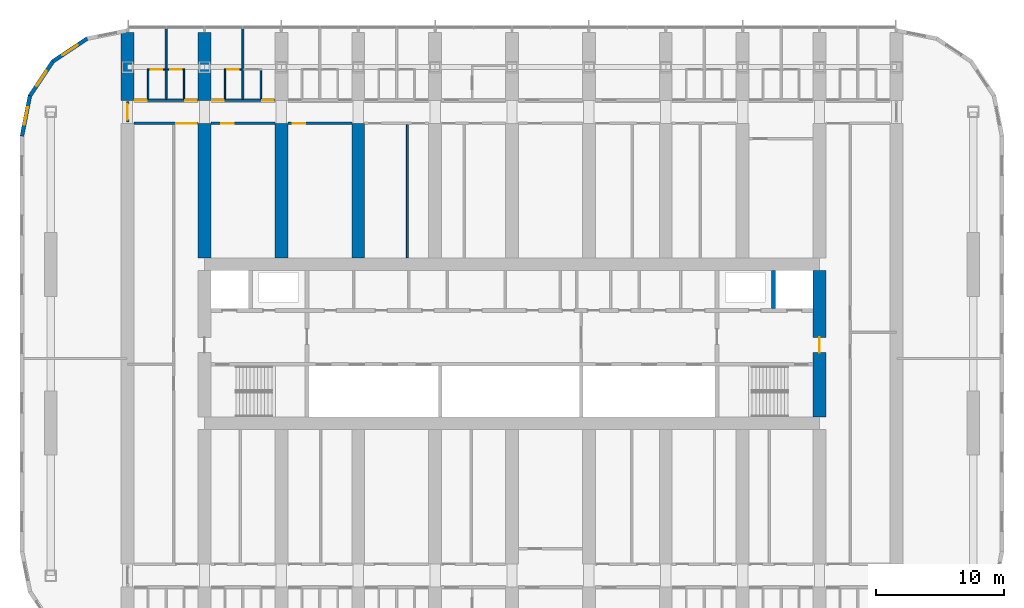
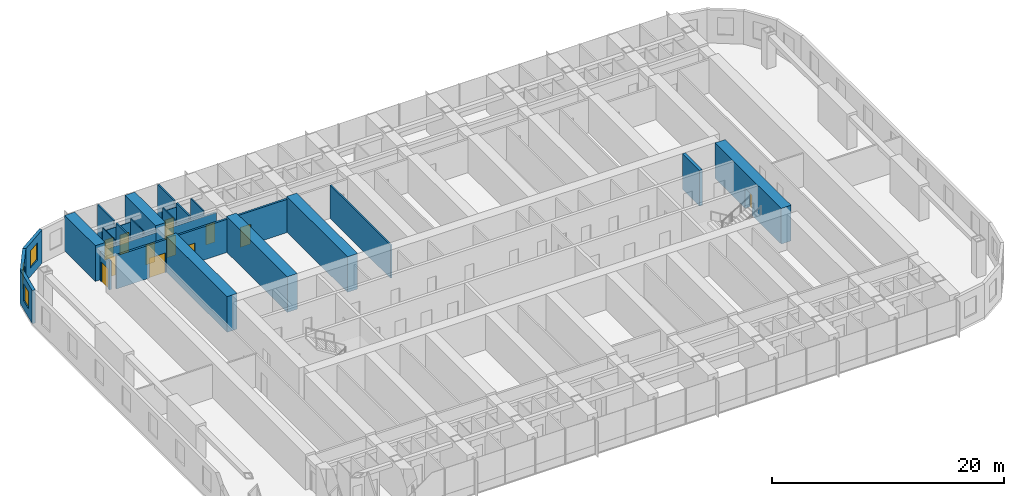
# One storey, part 15 of 25: 26 walls, 12 doors, 3 windows, 15 openings.
"""IFC4 building model written with IfcOpenShell, lengths in metres."""

from ifc_helpers import new_model, si_unit, direction, frame, frame_2d, origin, place, context, subcontext, project, spatial, polyline, rectangle, outline, extrude, material, layer, layer_set, type_object, element, fill, save


model = new_model("IFC4")

# Units and contexts
model_context = context("Model", 3, precision=1e-05, world=origin(), true_north=direction((0.0, 1.0)))
body_context = subcontext(model_context, "Body", "Model", "MODEL_VIEW")
ifc_project = project(units=[si_unit("LENGTHUNIT", "METRE"), si_unit("AREAUNIT", "SQUARE_METRE"), si_unit("VOLUMEUNIT", "CUBIC_METRE"), si_unit("PLANEANGLEUNIT", "RADIAN"), si_unit("MASSUNIT", "GRAM", prefix="KILO")], contexts=[model_context])

# Site, building, storey
site_placement = place(None, origin())
site = spatial("IfcSite", under=ifc_project, at=site_placement, CompositionType="ELEMENT")
building_placement = place(site_placement, origin())
building = spatial("IfcBuilding", under=site, at=building_placement, Name="Orbita Commons", CompositionType="ELEMENT")
storey_placement = place(building_placement, frame((0.0, 0.0, 31.449951171875)))
storey = spatial("IfcBuildingStorey", under=building, at=storey_placement, Name="L07", CompositionType="ELEMENT", Elevation=31.449951171875)

# Wall
ifc_material_1 = material(Name="Concrete C50/60", Category="concrete")
ifc_layer_1 = layer(ifc_material_1, 0.300048828125)
ifc_layer_set_1 = layer_set([ifc_layer_1], Name="Concrete C50/60")
wall_type_1 = type_object("IfcWallType", Name="Core inner wall 300 C50/60", PredefinedType="SHEAR", material=ifc_layer_set_1)
wall_1_placement = place(storey_placement, frame((62.39990234375, 34.75, 0.0), z_axis=(0.0, 0.0, 1.0), x_axis=(0.0, 1.0, 0.0)))
element("IfcWall", 1, at=wall_1_placement, inside=storey, type_object=wall_type_1, Name="Firefighting lift FL2 shaft wall L07", PredefinedType="SHEAR", context=body_context, shape_type="SweptSolid", body=[
    extrude(rectangle(XDim=2.949951171875, YDim=0.300048828125, at=frame_2d((1.47509765625, 0.0))), origin(), (0.0, 0.0, 1.0), 3.75),
])

# Wall, opening, door
ifc_material_2 = material(Name="Concrete C50/60", Category="concrete")
ifc_layer_2 = layer(ifc_material_2, 1.0)
ifc_layer_set_2 = layer_set([ifc_layer_2], Name="Concrete C50/60")
wall_type_2 = type_object("IfcWallType", Name="Core wall 1000 C50/60", PredefinedType="SHEAR", material=ifc_layer_set_2)
wall_2_placement = place(storey_placement, frame((66.0, 26.300048828125, 0.0), z_axis=(0.0, 0.0, 1.0), x_axis=(0.0, 1.0, 0.0)))
wall_2 = element("IfcWall", 2, at=wall_2_placement, inside=storey, type_object=wall_type_2, Name="Core end wall east L07", PredefinedType="SHEAR", context=body_context, shape_type="SweptSolid", body=[
    extrude(rectangle(XDim=11.39990234375, YDim=1.0, at=frame_2d((5.699951171875, 0.0))), origin(), (0.0, 0.0, 1.0), 3.75),
])
opening_1_placement = place(wall_2_placement, frame((5.0, 0.0, 0.0)))
opening_1 = element("IfcOpeningElement", 3, at=opening_1_placement, cuts=wall_2, Name="Opening D01", PredefinedType="OPENING", context=body_context, shape_type="SweptSolid", body=[
    extrude(rectangle(XDim=1.199951171875, YDim=2.10009765625, at=frame_2d((0.60009765625, 1.050048828125))), frame((0.0, 0.510009765625, 0.0), z_axis=(0.0, -1.0, 0.0), x_axis=(1.0, 0.0, 0.0)), (0.0, 0.0, 1.0), 1.02001953125),
])
ifc_material_3 = material(Name="Steel-faced fire door leaf", Category="steel")
door_type_1 = type_object("IfcDoorType", Name="Fire door 90 min 1200x2100", OperationType="SINGLE_SWING_LEFT", PredefinedType="DOOR", material=ifc_material_3)
door_1_placement = place(opening_1_placement, origin())
door_1 = element("IfcDoor", 4, at=door_1_placement, inside=storey, type_object=door_type_1, Name="Firefighting lobby east door", OperationType="SINGLE_SWING_LEFT", OverallHeight=2.10009765625, OverallWidth=1.199951171875, PredefinedType="DOOR", context=body_context, shape_type="SweptSolid", body=[
    extrude(rectangle(XDim=1.199951171875, YDim=2.10009765625, at=frame_2d((0.60009765625, 1.050048828125))), frame((0.0, 0.02490234375, 0.0), z_axis=(0.0, -1.0, 0.0), x_axis=(1.0, 0.0, 0.0)), (0.0, 0.0, 1.0), 0.050048828125),
])
fill(opening_1, door_1)

# Wall, openings, doors
ifc_material_4 = material(Name="Concrete blockwork", Category="masonry")
ifc_layer_3 = layer(ifc_material_4, 0.199951171875)
ifc_layer_set_3 = layer_set([ifc_layer_3], Name="Concrete blockwork")
wall_type_3 = type_object("IfcWallType", Name="Corridor wall 200 blockwork", PredefinedType="SOLIDWALL", material=ifc_layer_set_3)
wall_3_placement = place(storey_placement, frame((12.5, 51.0, 0.0), z_axis=(0.0, 0.0, 1.0), x_axis=(1.0, 0.0, 0.0)))
wall_3 = element("IfcWall", 5, at=wall_3_placement, inside=storey, type_object=wall_type_3, Name="Corridor wall 200 blockwork L07", PredefinedType="SOLIDWALL", context=body_context, shape_type="SweptSolid", body=[
    extrude(outline(polyline([(0.0, 0.0), (5.0, 0.0), (5.0, 3.10009765625), (0.0, 3.10009765625), (0.0, 0.0)])), frame((0.0, 0.10009765625, 0.0), z_axis=(0.0, -1.0, 0.0), x_axis=(1.0, 0.0, 0.0)), (0.0, 0.0, 1.0), 0.199951171875),
])
opening_2_placement = place(wall_3_placement, frame((0.10009765625, 0.0, 0.0)))
opening_2 = element("IfcOpeningElement", 6, at=opening_2_placement, cuts=wall_3, Name="Opening D11", PredefinedType="OPENING", context=body_context, shape_type="SweptSolid", body=[
    extrude(rectangle(XDim=0.89990234375, YDim=2.10009765625, at=frame_2d((0.449951171875, 1.050048828125))), frame((0.0, 0.10986328125, 0.0), z_axis=(0.0, -1.0, 0.0), x_axis=(1.0, 0.0, 0.0)), (0.0, 0.0, 1.0), 0.219970703125),
])
opening_3_placement = place(wall_3_placement, frame((4.0, 0.0, 0.0)))
opening_3 = element("IfcOpeningElement", 7, at=opening_3_placement, cuts=wall_3, Name="Opening D11", PredefinedType="OPENING", context=body_context, shape_type="SweptSolid", body=[
    extrude(rectangle(XDim=0.89990234375, YDim=2.10009765625, at=frame_2d((0.449951171875, 1.050048828125))), frame((0.0, 0.10986328125, 0.0), z_axis=(0.0, -1.0, 0.0), x_axis=(1.0, 0.0, 0.0)), (0.0, 0.0, 1.0), 0.219970703125),
])
ifc_material_5 = material(Name="Steel-faced fire door leaf", Category="steel")
door_type_2 = type_object("IfcDoorType", Name="Corridor door 20 min 900x2100", OperationType="SINGLE_SWING_LEFT", PredefinedType="DOOR", material=ifc_material_5)
door_2_placement = place(opening_2_placement, origin())
door_2 = element("IfcDoor", 8, at=door_2_placement, inside=storey, type_object=door_type_2, Name="House bedroom L07-N00 door", OperationType="SINGLE_SWING_LEFT", OverallHeight=2.10009765625, OverallWidth=0.89990234375, PredefinedType="DOOR", context=body_context, shape_type="SweptSolid", body=[
    extrude(rectangle(XDim=0.89990234375, YDim=2.10009765625, at=frame_2d((0.449951171875, 1.050048828125))), frame((0.0, 0.02490234375, 0.0), z_axis=(0.0, -1.0, 0.0), x_axis=(1.0, 0.0, 0.0)), (0.0, 0.0, 1.0), 0.050048828125),
])
fill(opening_2, door_2)
door_3_placement = place(opening_3_placement, origin())
door_3 = element("IfcDoor", 9, at=door_3_placement, inside=storey, type_object=door_type_2, Name="House bedroom L07-N01 door", OperationType="SINGLE_SWING_LEFT", OverallHeight=2.10009765625, OverallWidth=0.89990234375, PredefinedType="DOOR", context=body_context, shape_type="SweptSolid", body=[
    extrude(rectangle(XDim=0.89990234375, YDim=2.10009765625, at=frame_2d((0.449951171875, 1.050048828125))), frame((0.0, 0.02490234375, 0.0), z_axis=(0.0, -1.0, 0.0), x_axis=(1.0, 0.0, 0.0)), (0.0, 0.0, 1.0), 0.050048828125),
])
fill(opening_3, door_3)

wall_4_placement = place(storey_placement, frame((18.5, 51.0, 0.0), z_axis=(0.0, 0.0, 1.0), x_axis=(1.0, 0.0, 0.0)))
wall_4 = element("IfcWall", 10, at=wall_4_placement, inside=storey, type_object=wall_type_3, Name="Corridor wall 200 blockwork L07", PredefinedType="SOLIDWALL", context=body_context, shape_type="SweptSolid", body=[
    extrude(outline(polyline([(0.0, 0.0), (5.0, 0.0), (5.0, 3.10009765625), (0.0, 3.10009765625), (0.0, 0.0)])), frame((0.0, 0.10009765625, 0.0), z_axis=(0.0, -1.0, 0.0), x_axis=(1.0, 0.0, 0.0)), (0.0, 0.0, 1.0), 0.199951171875),
])
opening_4_placement = place(wall_4_placement, frame((0.10009765625, 0.0, 0.0)))
opening_4 = element("IfcOpeningElement", 11, at=opening_4_placement, cuts=wall_4, Name="Opening D11", PredefinedType="OPENING", context=body_context, shape_type="SweptSolid", body=[
    extrude(rectangle(XDim=0.89990234375, YDim=2.10009765625, at=frame_2d((0.449951171875, 1.050048828125))), frame((0.0, 0.10986328125, 0.0), z_axis=(0.0, -1.0, 0.0), x_axis=(1.0, 0.0, 0.0)), (0.0, 0.0, 1.0), 0.219970703125),
])
opening_5_placement = place(wall_4_placement, frame((4.0, 0.0, 0.0)))
opening_5 = element("IfcOpeningElement", 12, at=opening_5_placement, cuts=wall_4, Name="Opening D11", PredefinedType="OPENING", context=body_context, shape_type="SweptSolid", body=[
    extrude(rectangle(XDim=0.89990234375, YDim=2.10009765625, at=frame_2d((0.449951171875, 1.050048828125))), frame((0.0, 0.10986328125, 0.0), z_axis=(0.0, -1.0, 0.0), x_axis=(1.0, 0.0, 0.0)), (0.0, 0.0, 1.0), 0.219970703125),
])
door_4_placement = place(opening_4_placement, origin())
door_4 = element("IfcDoor", 13, at=door_4_placement, inside=storey, type_object=door_type_2, Name="House bedroom L07-N02 door", OperationType="SINGLE_SWING_LEFT", OverallHeight=2.10009765625, OverallWidth=0.89990234375, PredefinedType="DOOR", context=body_context, shape_type="SweptSolid", body=[
    extrude(rectangle(XDim=0.89990234375, YDim=2.10009765625, at=frame_2d((0.449951171875, 1.050048828125))), frame((0.0, 0.02490234375, 0.0), z_axis=(0.0, -1.0, 0.0), x_axis=(1.0, 0.0, 0.0)), (0.0, 0.0, 1.0), 0.050048828125),
])
fill(opening_4, door_4)
door_5_placement = place(opening_5_placement, origin())
door_5 = element("IfcDoor", 14, at=door_5_placement, inside=storey, type_object=door_type_2, Name="House bedroom L07-N03 door", OperationType="SINGLE_SWING_LEFT", OverallHeight=2.10009765625, OverallWidth=0.89990234375, PredefinedType="DOOR", context=body_context, shape_type="SweptSolid", body=[
    extrude(rectangle(XDim=0.89990234375, YDim=2.10009765625, at=frame_2d((0.449951171875, 1.050048828125))), frame((0.0, 0.02490234375, 0.0), z_axis=(0.0, -1.0, 0.0), x_axis=(1.0, 0.0, 0.0)), (0.0, 0.0, 1.0), 0.050048828125),
])
fill(opening_5, door_5)

# Wall, opening, door
wall_5_placement = place(storey_placement, frame((12.0, 49.300048828125, 0.0), z_axis=(0.0, 0.0, 1.0), x_axis=(0.0, 1.0, 0.0)))
wall_5 = element("IfcWall", 15, at=wall_5_placement, inside=storey, type_object=wall_type_3, Name="Corridor wall 200 blockwork L07", PredefinedType="SOLIDWALL", context=body_context, shape_type="SweptSolid", body=[
    extrude(outline(polyline([(0.0, 0.0), (1.599853515625, 0.0), (1.60009765625, 3.050048828125), (0.0, 3.050048828125), (0.0, 0.0)])), frame((0.0, 0.10009765625, 0.0), z_axis=(0.0, -1.0, 0.0), x_axis=(1.0, 0.0, 0.0)), (0.0, 0.0, 1.0), 0.199951171875),
])
opening_6_placement = place(wall_5_placement, frame((0.199951171875, 0.0, 0.0)))
opening_6 = element("IfcOpeningElement", 16, at=opening_6_placement, cuts=wall_5, Name="Opening D12", PredefinedType="OPENING", context=body_context, shape_type="SweptSolid", body=[
    extrude(rectangle(XDim=1.199951171875, YDim=2.10009765625, at=frame_2d((0.60009765625, 1.050048828125))), frame((0.0, 0.10986328125, 0.0), z_axis=(0.0, -1.0, 0.0), x_axis=(1.0, 0.0, 0.0)), (0.0, 0.0, 1.0), 0.219970703125),
])
ifc_material_6 = material(Name="Steel-faced fire door leaf", Category="steel")
door_type_3 = type_object("IfcDoorType", Name="Double corridor door 20 min 1200x2100", OperationType="DOUBLE_DOOR_SINGLE_SWING", PredefinedType="DOOR", material=ifc_material_6)
door_6_placement = place(opening_6_placement, origin())
door_6 = element("IfcDoor", 17, at=door_6_placement, inside=storey, type_object=door_type_3, Name="Lounge doors", OperationType="DOUBLE_DOOR_SINGLE_SWING", OverallHeight=2.10009765625, OverallWidth=1.199951171875, PredefinedType="DOOR", context=body_context, shape_type="SweptSolid", body=[
    extrude(rectangle(XDim=1.199951171875, YDim=2.10009765625, at=frame_2d((0.60009765625, 1.050048828125))), frame((0.0, 0.02490234375, 0.0), z_axis=(0.0, -1.0, 0.0), x_axis=(1.0, 0.0, 0.0)), (0.0, 0.0, 1.0), 0.050048828125),
])
fill(opening_6, door_6)

ifc_material_7 = material(Name="Hollow concrete block 200", Category="concrete")
ifc_layer_4 = layer(ifc_material_7, 0.199951171875)
ifc_layer_set_4 = layer_set([ifc_layer_4], Name="Hollow concrete block 200")
wall_type_4 = type_object("IfcWallType", Name="Corridor wall 200 hollow concrete block", PredefinedType="SOLIDWALL", material=ifc_layer_set_4)
wall_6_placement = place(storey_placement, frame((12.5, 49.199951171875, 0.0), z_axis=(0.0, 0.0, 1.0), x_axis=(1.0, 0.0, 0.0)))
wall_6 = element("IfcWall", 18, at=wall_6_placement, inside=storey, type_object=wall_type_4, Name="Corridor wall 200 hollow concrete block L07", PredefinedType="SOLIDWALL", context=body_context, shape_type="SweptSolid", body=[
    extrude(rectangle(XDim=5.0, YDim=0.199951171875, at=frame_2d((2.5, 0.0))), origin(), (0.0, 0.0, 1.0), 3.5),
])
opening_7_placement = place(wall_6_placement, frame((3.300048828125, 0.0, 0.0)))
opening_7 = element("IfcOpeningElement", 19, at=opening_7_placement, cuts=wall_6, Name="Opening D10", PredefinedType="OPENING", context=body_context, shape_type="SweptSolid", body=[
    extrude(rectangle(XDim=1.60009765625, YDim=2.10009765625, at=frame_2d((0.800048828125, 1.050048828125))), frame((0.0, 0.10986328125, 0.0), z_axis=(0.0, -1.0, 0.0), x_axis=(1.0, 0.0, 0.0)), (0.0, 0.0, 1.0), 0.219970703125),
])
ifc_material_8 = material(Name="Steel-faced fire door leaf", Category="steel")
door_type_4 = type_object("IfcDoorType", Name="Double corridor door 20 min 1600x2100", OperationType="DOUBLE_DOOR_SINGLE_SWING", PredefinedType="DOOR", material=ifc_material_8)
door_7_placement = place(opening_7_placement, origin())
door_7 = element("IfcDoor", 20, at=door_7_placement, inside=storey, type_object=door_type_4, Name="Cross corridor doors", OperationType="DOUBLE_DOOR_SINGLE_SWING", OverallHeight=2.10009765625, OverallWidth=1.60009765625, PredefinedType="DOOR", context=body_context, shape_type="SweptSolid", body=[
    extrude(rectangle(XDim=1.60009765625, YDim=2.10009765625, at=frame_2d((0.800048828125, 1.050048828125))), frame((0.0, 0.02490234375, 0.0), z_axis=(0.0, -1.0, 0.0), x_axis=(1.0, 0.0, 0.0)), (0.0, 0.0, 1.0), 0.050048828125),
])
fill(opening_7, door_7)

wall_7_placement = place(storey_placement, frame((18.5, 49.199951171875, 0.0), z_axis=(0.0, 0.0, 1.0), x_axis=(1.0, 0.0, 0.0)))
wall_7 = element("IfcWall", 21, at=wall_7_placement, inside=storey, type_object=wall_type_4, Name="Corridor wall 200 hollow concrete block L07", PredefinedType="SOLIDWALL", context=body_context, shape_type="SweptSolid", body=[
    extrude(rectangle(XDim=5.0, YDim=0.199951171875, at=frame_2d((2.5, 0.0))), origin(), (0.0, 0.0, 1.0), 3.5),
])
opening_8_placement = place(wall_7_placement, frame((0.800048828125, 0.0, 0.0)))
opening_8 = element("IfcOpeningElement", 22, at=opening_8_placement, cuts=wall_7, Name="Opening D06", PredefinedType="OPENING", context=body_context, shape_type="SweptSolid", body=[
    extrude(rectangle(XDim=1.0, YDim=2.10009765625, at=frame_2d((0.5, 1.050048828125))), frame((0.0, 0.10986328125, 0.0), z_axis=(0.0, -1.0, 0.0), x_axis=(1.0, 0.0, 0.0)), (0.0, 0.0, 1.0), 0.219970703125),
])
ifc_material_9 = material(Name="Steel-faced fire door leaf", Category="steel")
door_type_5 = type_object("IfcDoorType", Name="Corridor door 20 min 1000x2100", OperationType="SINGLE_SWING_LEFT", PredefinedType="DOOR", material=ifc_material_9)
door_8_placement = place(opening_8_placement, origin())
door_8 = element("IfcDoor", 23, at=door_8_placement, inside=storey, type_object=door_type_5, Name="Cleaners store L07-BDN18 door", OperationType="SINGLE_SWING_LEFT", OverallHeight=2.10009765625, OverallWidth=1.0, PredefinedType="DOOR", context=body_context, shape_type="SweptSolid", body=[
    extrude(rectangle(XDim=1.0, YDim=2.10009765625, at=frame_2d((0.5, 1.050048828125))), frame((0.0, 0.02490234375, 0.0), z_axis=(0.0, -1.0, 0.0), x_axis=(1.0, 0.0, 0.0)), (0.0, 0.0, 1.0), 0.050048828125),
])
fill(opening_8, door_8)

wall_8_placement = place(storey_placement, frame((24.5, 49.199951171875, 0.0), z_axis=(0.0, 0.0, 1.0), x_axis=(1.0, 0.0, 0.0)))
wall_8 = element("IfcWall", 24, at=wall_8_placement, inside=storey, type_object=wall_type_4, Name="Corridor wall 200 hollow concrete block L07", PredefinedType="SOLIDWALL", context=body_context, shape_type="SweptSolid", body=[
    extrude(rectangle(XDim=5.0, YDim=0.199951171875, at=frame_2d((2.5, 0.0))), origin(), (0.0, 0.0, 1.0), 3.5),
])
opening_9_placement = place(wall_8_placement, frame((0.375, 0.0, 0.0)))
opening_9 = element("IfcOpeningElement", 25, at=opening_9_placement, cuts=wall_8, Name="Opening D06", PredefinedType="OPENING", context=body_context, shape_type="SweptSolid", body=[
    extrude(rectangle(XDim=1.0, YDim=2.10009765625, at=frame_2d((0.5, 1.050048828125))), frame((0.0, 0.10986328125, 0.0), z_axis=(0.0, -1.0, 0.0), x_axis=(1.0, 0.0, 0.0)), (0.0, 0.0, 1.0), 0.219970703125),
])
door_9_placement = place(opening_9_placement, origin())
door_9 = element("IfcDoor", 26, at=door_9_placement, inside=storey, type_object=door_type_5, Name="IT and print room L07-BDN24 door", OperationType="SINGLE_SWING_LEFT", OverallHeight=2.10009765625, OverallWidth=1.0, PredefinedType="DOOR", context=body_context, shape_type="SweptSolid", body=[
    extrude(rectangle(XDim=1.0, YDim=2.10009765625, at=frame_2d((0.5, 1.050048828125))), frame((0.0, 0.02490234375, 0.0), z_axis=(0.0, -1.0, 0.0), x_axis=(1.0, 0.0, 0.0)), (0.0, 0.0, 1.0), 0.050048828125),
])
fill(opening_9, door_9)

# Walls
ifc_material_10 = material(Name="Concrete C50/60", Category="concrete")
ifc_layer_5 = layer(ifc_material_10, 1.0)
ifc_layer_set_5 = layer_set([ifc_layer_5], Name="Concrete C50/60")
wall_type_5 = type_object("IfcWallType", Name="Cross wall 1000 C50/60", PredefinedType="SHEAR", material=ifc_layer_set_5)
for number, where, z_axis, x_axis, name in (
    (27, (12.0, 51.0, 0.0), (0.0, 0.0, 1.0), (0.0, 1.0, 0.0), "Cross wall 3 north outer L07"),
    (28, (18.0, 51.0, 0.0), (0.0, 0.0, 1.0), (0.0, 1.0, 0.0), "Cross wall 4 north outer L07"),
):
    element("IfcWall", number, at=place(storey_placement, frame(where, z_axis=z_axis, x_axis=x_axis)), inside=storey, type_object=wall_type_5, Name=name, PredefinedType="SHEAR", context=body_context, shape_type="SweptSolid", body=[
        extrude(rectangle(XDim=5.300048828125, YDim=1.0, at=frame_2d((2.64990234375, 0.0))), origin(), (0.0, 0.0, 1.0), 3.75),
    ])
for number, where, z_axis, x_axis, name in (
    (29, (18.0, 38.699951171875, 0.0), (0.0, 0.0, 1.0), (0.0, 1.0, 0.0), "Cross wall 4 north inner L07"),
    (30, (24.0, 38.699951171875, 0.0), (0.0, 0.0, 1.0), (0.0, 1.0, 0.0), "Cross wall 5 north inner L07"),
    (31, (30.0, 38.699951171875, 0.0), (0.0, 0.0, 1.0), (0.0, 1.0, 0.0), "Cross wall 6 north inner L07"),
):
    element("IfcWall", number, at=place(storey_placement, frame(where, z_axis=z_axis, x_axis=x_axis)), inside=storey, type_object=wall_type_5, Name=name, PredefinedType="SHEAR", context=body_context, shape_type="SweptSolid", body=[
        extrude(rectangle(XDim=10.5, YDim=1.0, at=frame_2d((5.25, 0.0))), origin(), (0.0, 0.0, 1.0), 3.75),
    ])

# Wall, opening, door
ifc_material_11 = material(Name="Moisture-resistant plasterboard on steel studs", Category="steel")
ifc_layer_6 = layer(ifc_material_11, 0.10009765625)
ifc_layer_set_6 = layer_set([ifc_layer_6], Name="Moisture-resistant plasterboard on steel studs")
wall_type_6 = type_object("IfcWallType", Name="En-suite partition 100", PredefinedType="PARTITIONING", material=ifc_layer_set_6)
wall_9_placement = place(storey_placement, frame((13.550048828125, 53.40185546875, 0.0), z_axis=(0.0, 0.0, 1.0), x_axis=(1.0, 0.0, 0.0)))
wall_9 = element("IfcWall", 32, at=wall_9_placement, inside=storey, type_object=wall_type_6, Name="En-suite partition 100 L07", PredefinedType="PARTITIONING", context=body_context, shape_type="SweptSolid", body=[
    extrude(outline(polyline([(0.0, 0.0), (1.375, 0.0), (1.375, 3.10009765625), (0.0, 3.10009765625), (0.0, 0.0)])), frame((0.0, 0.050048828125, 0.0), z_axis=(0.0, -1.0, 0.0), x_axis=(1.0, 0.0, 0.0)), (0.0, 0.0, 1.0), 0.10009765625),
])
opening_10_placement = place(wall_9_placement, frame((0.237548828125, 0.0, 0.0)))
opening_10 = element("IfcOpeningElement", 33, at=opening_10_placement, cuts=wall_9, Name="Opening D09", PredefinedType="OPENING", context=body_context, shape_type="SweptSolid", body=[
    extrude(rectangle(XDim=0.89990234375, YDim=2.10009765625, at=frame_2d((0.449951171875, 1.050048828125))), frame((0.0, 0.06005859375, 0.0), z_axis=(0.0, -1.0, 0.0), x_axis=(1.0, 0.0, 0.0)), (0.0, 0.0, 1.0), 0.1201171875),
])
ifc_material_12 = material(Name="Laminated timber door leaf", Category="wood")
door_type_6 = type_object("IfcDoorType", Name="En-suite door 900x2100", OperationType="SINGLE_SWING_RIGHT", PredefinedType="DOOR", material=ifc_material_12)
door_10_placement = place(opening_10_placement, origin())
door_10 = element("IfcDoor", 34, at=door_10_placement, inside=storey, type_object=door_type_6, Name="En-suite L07-N00 door", OperationType="SINGLE_SWING_RIGHT", OverallHeight=2.10009765625, OverallWidth=0.89990234375, PredefinedType="DOOR", context=body_context, shape_type="SweptSolid", body=[
    extrude(rectangle(XDim=0.89990234375, YDim=2.10009765625, at=frame_2d((0.449951171875, 1.050048828125))), frame((0.0, 0.02490234375, 0.0), z_axis=(0.0, -1.0, 0.0), x_axis=(1.0, 0.0, 0.0)), (0.0, 0.0, 1.0), 0.050048828125),
])
fill(opening_10, door_10)

# Wall
wall_10_placement = place(storey_placement, frame((13.60009765625, 53.351806640625, 0.0), z_axis=(0.0, 0.0, 1.0), x_axis=(0.0, -1.0, 0.0)))
element("IfcWall", 35, at=wall_10_placement, inside=storey, type_object=wall_type_6, Name="En-suite partition 100 L07", PredefinedType="PARTITIONING", context=body_context, shape_type="SweptSolid", body=[
    extrude(outline(polyline([(0.0, 0.0), (2.251708984375, 0.0), (2.251953125, 3.10009765625), (2.203857421875, 3.10009765625), (2.201904296875, 3.5), (0.0, 3.5), (0.0, 0.0)])), frame((0.0, 0.050048828125, 0.0), z_axis=(0.0, -1.0, 0.0), x_axis=(1.0, 0.0, 0.0)), (0.0, 0.0, 1.0), 0.10009765625),
])

# Wall, opening, door
wall_11_placement = place(storey_placement, frame((15.074951171875, 53.40185546875, 0.0), z_axis=(0.0, 0.0, 1.0), x_axis=(1.0, 0.0, 0.0)))
wall_11 = element("IfcWall", 36, at=wall_11_placement, inside=storey, type_object=wall_type_6, Name="En-suite partition 100 L07", PredefinedType="PARTITIONING", context=body_context, shape_type="SweptSolid", body=[
    extrude(outline(polyline([(0.0, 0.0), (1.375, 0.0), (1.375, 3.10009765625), (0.0, 3.10009765625), (0.0, 0.0)])), frame((0.0, 0.050048828125, 0.0), z_axis=(0.0, -1.0, 0.0), x_axis=(1.0, 0.0, 0.0)), (0.0, 0.0, 1.0), 0.10009765625),
])
opening_11_placement = place(wall_11_placement, frame((0.237548828125, 0.0, 0.0)))
opening_11 = element("IfcOpeningElement", 37, at=opening_11_placement, cuts=wall_11, Name="Opening D09", PredefinedType="OPENING", context=body_context, shape_type="SweptSolid", body=[
    extrude(rectangle(XDim=0.89990234375, YDim=2.10009765625, at=frame_2d((0.449951171875, 1.050048828125))), frame((0.0, 0.06005859375, 0.0), z_axis=(0.0, -1.0, 0.0), x_axis=(1.0, 0.0, 0.0)), (0.0, 0.0, 1.0), 0.1201171875),
])
door_11_placement = place(opening_11_placement, origin())
door_11 = element("IfcDoor", 38, at=door_11_placement, inside=storey, type_object=door_type_6, Name="En-suite L07-N01 door", OperationType="SINGLE_SWING_RIGHT", OverallHeight=2.10009765625, OverallWidth=0.89990234375, PredefinedType="DOOR", context=body_context, shape_type="SweptSolid", body=[
    extrude(rectangle(XDim=0.89990234375, YDim=2.10009765625, at=frame_2d((0.449951171875, 1.050048828125))), frame((0.0, 0.02490234375, 0.0), z_axis=(0.0, -1.0, 0.0), x_axis=(1.0, 0.0, 0.0)), (0.0, 0.0, 1.0), 0.050048828125),
])
fill(opening_11, door_11)

# Wall
wall_12_placement = place(storey_placement, frame((16.39990234375, 53.351806640625, 0.0), z_axis=(0.0, 0.0, 1.0), x_axis=(0.0, -1.0, 0.0)))
element("IfcWall", 39, at=wall_12_placement, inside=storey, type_object=wall_type_6, Name="En-suite partition 100 L07", PredefinedType="PARTITIONING", context=body_context, shape_type="SweptSolid", body=[
    extrude(outline(polyline([(0.0, 0.0), (2.251708984375, 0.0), (2.251953125, 3.10009765625), (2.203857421875, 3.10009765625), (2.201904296875, 3.5), (0.0, 3.5), (0.0, 0.0)])), frame((0.0, 0.050048828125, 0.0), z_axis=(0.0, -1.0, 0.0), x_axis=(1.0, 0.0, 0.0)), (0.0, 0.0, 1.0), 0.10009765625),
])

# Wall, opening, door
wall_13_placement = place(storey_placement, frame((19.550048828125, 53.40185546875, 0.0), z_axis=(0.0, 0.0, 1.0), x_axis=(1.0, 0.0, 0.0)))
wall_13 = element("IfcWall", 40, at=wall_13_placement, inside=storey, type_object=wall_type_6, Name="En-suite partition 100 L07", PredefinedType="PARTITIONING", context=body_context, shape_type="SweptSolid", body=[
    extrude(outline(polyline([(0.0, 0.0), (1.375, 0.0), (1.375, 3.10009765625), (0.0, 3.10009765625), (0.0, 0.0)])), frame((0.0, 0.050048828125, 0.0), z_axis=(0.0, -1.0, 0.0), x_axis=(1.0, 0.0, 0.0)), (0.0, 0.0, 1.0), 0.10009765625),
])
opening_12_placement = place(wall_13_placement, frame((0.237548828125, 0.0, 0.0)))
opening_12 = element("IfcOpeningElement", 41, at=opening_12_placement, cuts=wall_13, Name="Opening D09", PredefinedType="OPENING", context=body_context, shape_type="SweptSolid", body=[
    extrude(rectangle(XDim=0.89990234375, YDim=2.10009765625, at=frame_2d((0.449951171875, 1.050048828125))), frame((0.0, 0.06005859375, 0.0), z_axis=(0.0, -1.0, 0.0), x_axis=(1.0, 0.0, 0.0)), (0.0, 0.0, 1.0), 0.1201171875),
])
door_12_placement = place(opening_12_placement, origin())
door_12 = element("IfcDoor", 42, at=door_12_placement, inside=storey, type_object=door_type_6, Name="En-suite L07-N02 door", OperationType="SINGLE_SWING_RIGHT", OverallHeight=2.10009765625, OverallWidth=0.89990234375, PredefinedType="DOOR", context=body_context, shape_type="SweptSolid", body=[
    extrude(rectangle(XDim=0.89990234375, YDim=2.10009765625, at=frame_2d((0.449951171875, 1.050048828125))), frame((0.0, 0.02490234375, 0.0), z_axis=(0.0, -1.0, 0.0), x_axis=(1.0, 0.0, 0.0)), (0.0, 0.0, 1.0), 0.050048828125),
])
fill(opening_12, door_12)

# Walls
for number, where, z_axis, x_axis, name in (
    (43, (19.60009765625, 53.351806640625, 0.0), (0.0, 0.0, 1.0), (0.0, -1.0, 0.0), "En-suite partition 100 L07"),
    (44, (22.39990234375, 53.351806640625, 0.0), (0.0, 0.0, 1.0), (0.0, -1.0, 0.0), "En-suite partition 100 L07"),
):
    element("IfcWall", number, at=place(storey_placement, frame(where, z_axis=z_axis, x_axis=x_axis)), inside=storey, type_object=wall_type_6, Name=name, PredefinedType="PARTITIONING", context=body_context, shape_type="SweptSolid", body=[
        extrude(outline(polyline([(0.0, 0.0), (2.251708984375, 0.0), (2.251953125, 3.10009765625), (2.203857421875, 3.10009765625), (2.201904296875, 3.5), (0.0, 3.5), (0.0, 0.0)])), frame((0.0, 0.050048828125, 0.0), z_axis=(0.0, -1.0, 0.0), x_axis=(1.0, 0.0, 0.0)), (0.0, 0.0, 1.0), 0.10009765625),
    ])
ifc_material_13 = material(Name="Gypsum plasterboard on steel studs", Category="steel")
ifc_layer_7 = layer(ifc_material_13, 0.14990234375)
ifc_layer_set_7 = layer_set([ifc_layer_7], Name="Gypsum plasterboard on steel studs")
wall_type_7 = type_object("IfcWallType", Name="Partition 150 plasterboard", PredefinedType="PARTITIONING", material=ifc_layer_set_7)
wall_14_placement = place(storey_placement, frame((33.8349609375, 38.699951171875, 0.0), z_axis=(0.0, 0.0, 1.0), x_axis=(0.0, 1.0, 0.0)))
element("IfcWall", 45, at=wall_14_placement, inside=storey, type_object=wall_type_7, Name="Partition 150 plasterboard L07", PredefinedType="PARTITIONING", context=body_context, shape_type="SweptSolid", body=[
    extrude(rectangle(XDim=10.400146484375, YDim=0.14990234375, at=frame_2d((5.2001953125, 0.0))), origin(), (0.0, 0.0, 1.0), 3.5),
])
ifc_material_14 = material(Name="Gypsum plasterboard on steel studs", Category="steel")
ifc_layer_8 = layer(ifc_material_14, 0.14990234375)
ifc_layer_set_8 = layer_set([ifc_layer_8], Name="Gypsum plasterboard on steel studs")
wall_type_8 = type_object("IfcWallType", Name="Party wall 150 plasterboard", PredefinedType="PARTITIONING", material=ifc_layer_set_8)
for number, where, z_axis, x_axis, name in (
    (46, (15.0, 56.590087890625, 0.0), (0.0, 0.0, 1.0), (0.0, -1.0, 0.0), "Party wall 150 plasterboard L07"),
    (47, (21.0, 56.590087890625, 0.0), (0.0, 0.0, 1.0), (0.0, -1.0, 0.0), "Party wall 150 plasterboard L07"),
):
    element("IfcWall", number, at=place(storey_placement, frame(where, z_axis=z_axis, x_axis=x_axis)), inside=storey, type_object=wall_type_8, Name=name, PredefinedType="PARTITIONING", context=body_context, shape_type="SweptSolid", body=[
        extrude(outline(polyline([(0.0, 0.0), (5.489990234375, 0.0), (5.489990234375, 3.10009765625), (5.44189453125, 3.10009765625), (5.43994140625, 3.5), (3.19189453125, 3.5), (3.18994140625, 3.10009765625), (2.7919921875, 3.10009765625), (2.7900390625, 3.5), (0.0, 3.5), (0.0, 0.0)])), frame((0.0, 0.074951171875, 0.0), z_axis=(0.0, -1.0, 0.0), x_axis=(1.0, 0.0, 0.0)), (0.0, 0.0, 1.0), 0.14990234375),
    ])

# Wall, opening, window
ifc_material_15 = material(Name="Precast concrete C40/50, white board-marked finish", Category="concrete")
ifc_layer_9 = layer(ifc_material_15, 0.300048828125)
ifc_layer_set_9 = layer_set([ifc_layer_9], Name="Precast concrete C40/50, white board-marked finish")
wall_type_9 = type_object("IfcWallType", Name="Precast concrete end shield 300", PredefinedType="SOLIDWALL", material=ifc_layer_set_9)
wall_15_placement = place(storey_placement, frame((8.843017578125, 55.822021484375, 0.0), z_axis=(0.0, 0.0, 1.0), x_axis=(-0.831478105043, -0.555557522525, 0.0)))
wall_15 = element("IfcWall", 48, at=wall_15_placement, inside=storey, type_object=wall_type_9, Name="End shield NW chord 2 L07", PredefinedType="SOLIDWALL", context=body_context, shape_type="SweptSolid", body=[
    extrude(outline(polyline([(-0.02978515625, -0.14990234375), (3.248779296875, -0.14990234375), (3.189208984375, 0.14990234375), (0.02978515625, 0.14990234375), (-0.02978515625, -0.14990234375)])), origin(), (0.0, 0.0, 1.0), 3.5),
])
opening_13_placement = place(wall_15_placement, frame((0.909423828125, 0.0, 0.89990234375)))
opening_13 = element("IfcOpeningElement", 49, at=opening_13_placement, cuts=wall_15, Name="Opening W02", PredefinedType="OPENING", context=body_context, shape_type="SweptSolid", body=[
    extrude(rectangle(XDim=1.39990234375, YDim=1.800048828125, at=frame_2d((0.699951171875, 0.89990234375))), frame((0.0, 0.159912109375, 0.0), z_axis=(0.0, -1.0, 0.0), x_axis=(1.0, 0.0, 0.0)), (0.0, 0.0, 1.0), 0.320068359375),
])
ifc_material_16 = material(Name="Aluminium frame, clear double glazing", Category="aluminium")
window_type = type_object("IfcWindowType", Name="Deep-set window 1400x1800", PartitioningType="SINGLE_PANEL", PredefinedType="WINDOW", material=ifc_material_16)
window_1_placement = place(opening_13_placement, origin())
window_1 = element("IfcWindow", 50, at=window_1_placement, inside=storey, type_object=window_type, Name="Window L07-NW1", OverallHeight=1.800048828125, OverallWidth=1.39990234375, PartitioningType="SINGLE_PANEL", PredefinedType="WINDOW", context=body_context, shape_type="SweptSolid", body=[
    extrude(rectangle(XDim=1.39990234375, YDim=1.800048828125, at=frame_2d((0.699951171875, 0.89990234375))), frame((0.0, 0.030029296875, 0.0), z_axis=(0.0, -1.0, 0.0), x_axis=(1.0, 0.0, 0.0)), (0.0, 0.0, 1.0), 0.06005859375),
])
fill(opening_13, window_1)

wall_16_placement = place(storey_placement, frame((6.16650390625, 54.03369140625, 0.0), z_axis=(0.0, 0.0, 1.0), x_axis=(-0.555609954424, -0.831443069936, 0.0)))
wall_16 = element("IfcWall", 51, at=wall_16_placement, inside=storey, type_object=wall_type_9, Name="End shield NW chord 3 L07", PredefinedType="SOLIDWALL", context=body_context, shape_type="SweptSolid", body=[
    extrude(outline(polyline([(-0.02978515625, -0.14990234375), (3.2490234375, -0.14990234375), (3.189453125, 0.14990234375), (0.02978515625, 0.14990234375), (-0.02978515625, -0.14990234375)])), origin(), (0.0, 0.0, 1.0), 3.5),
])
opening_14_placement = place(wall_16_placement, frame((0.909423828125, 0.0, 0.89990234375)))
opening_14 = element("IfcOpeningElement", 52, at=opening_14_placement, cuts=wall_16, Name="Opening W02", PredefinedType="OPENING", context=body_context, shape_type="SweptSolid", body=[
    extrude(rectangle(XDim=1.39990234375, YDim=1.800048828125, at=frame_2d((0.699951171875, 0.89990234375))), frame((0.0, 0.159912109375, 0.0), z_axis=(0.0, -1.0, 0.0), x_axis=(1.0, 0.0, 0.0)), (0.0, 0.0, 1.0), 0.320068359375),
])
window_2_placement = place(opening_14_placement, origin())
window_2 = element("IfcWindow", 53, at=window_2_placement, inside=storey, type_object=window_type, Name="Window L07-NW2", OverallHeight=1.800048828125, OverallWidth=1.39990234375, PartitioningType="SINGLE_PANEL", PredefinedType="WINDOW", context=body_context, shape_type="SweptSolid", body=[
    extrude(rectangle(XDim=1.39990234375, YDim=1.800048828125, at=frame_2d((0.699951171875, 0.89990234375))), frame((0.0, 0.030029296875, 0.0), z_axis=(0.0, -1.0, 0.0), x_axis=(1.0, 0.0, 0.0)), (0.0, 0.0, 1.0), 0.06005859375),
])
fill(opening_14, window_2)

wall_17_placement = place(storey_placement, frame((4.3779296875, 51.357177734375, 0.0), z_axis=(0.0, 0.0, 1.0), x_axis=(-0.195065901187, -0.980790137692, 0.0)))
wall_17 = element("IfcWall", 54, at=wall_17_placement, inside=storey, type_object=wall_type_9, Name="End shield NW chord 4 L07", PredefinedType="SOLIDWALL", context=body_context, shape_type="SweptSolid", body=[
    extrude(outline(polyline([(-0.02978515625, -0.14990234375), (3.23388671875, -0.14990234375), (3.2041015625, 0.14990234375), (0.02978515625, 0.14990234375), (-0.02978515625, -0.14990234375)])), origin(), (0.0, 0.0, 1.0), 3.5),
])
opening_15_placement = place(wall_17_placement, frame((0.909423828125, 0.0, 0.89990234375)))
opening_15 = element("IfcOpeningElement", 55, at=opening_15_placement, cuts=wall_17, Name="Opening W02", PredefinedType="OPENING", context=body_context, shape_type="SweptSolid", body=[
    extrude(rectangle(XDim=1.39990234375, YDim=1.800048828125, at=frame_2d((0.699951171875, 0.89990234375))), frame((0.0, 0.159912109375, 0.0), z_axis=(0.0, -1.0, 0.0), x_axis=(1.0, 0.0, 0.0)), (0.0, 0.0, 1.0), 0.320068359375),
])
window_3_placement = place(opening_15_placement, origin())
window_3 = element("IfcWindow", 56, at=window_3_placement, inside=storey, type_object=window_type, Name="Window L07-NW3", OverallHeight=1.800048828125, OverallWidth=1.39990234375, PartitioningType="SINGLE_PANEL", PredefinedType="WINDOW", context=body_context, shape_type="SweptSolid", body=[
    extrude(rectangle(XDim=1.39990234375, YDim=1.800048828125, at=frame_2d((0.699951171875, 0.89990234375))), frame((0.0, 0.030029296875, 0.0), z_axis=(0.0, -1.0, 0.0), x_axis=(1.0, 0.0, 0.0)), (0.0, 0.0, 1.0), 0.06005859375),
])
fill(opening_15, window_3)

save(model, "model.ifc")
